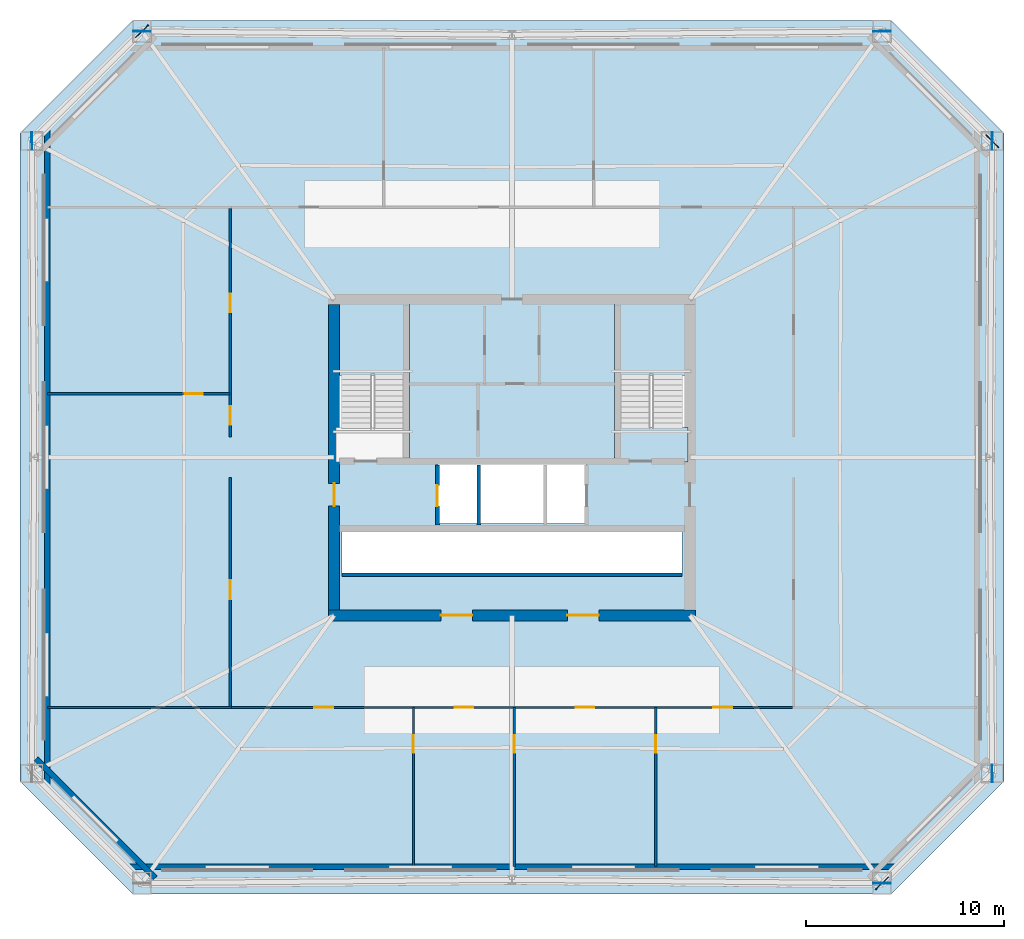
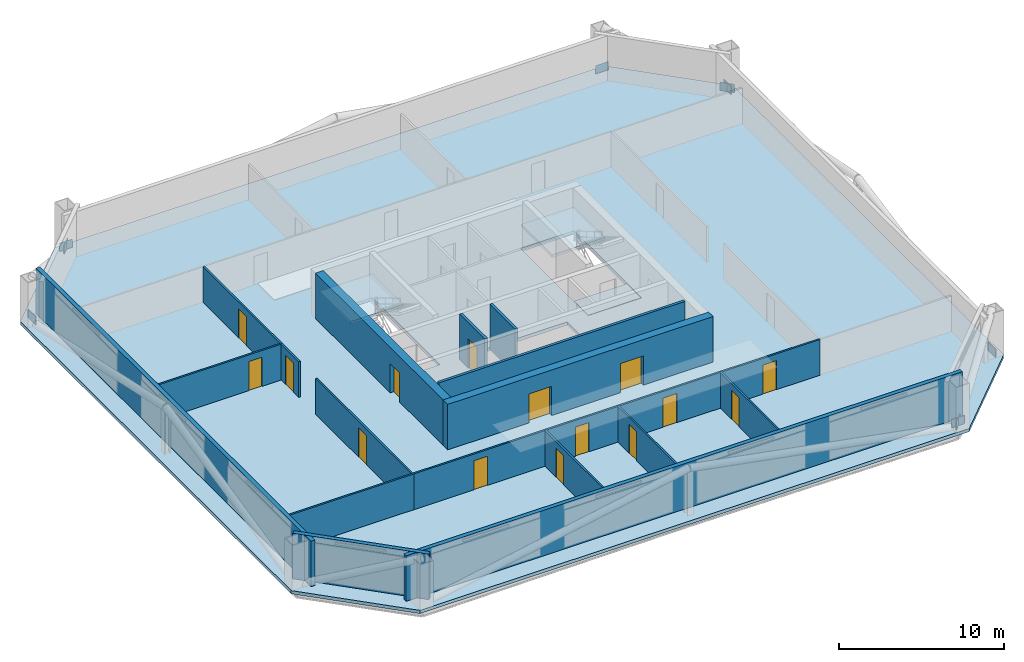
# One storey, part 2 of 6: 16 walls, 15 doors, 9 plates, 4 slabs, 15 openings, 2 elements without a shape of their own.
"""IFC4 building model written with IfcOpenShell, lengths in metres."""

from ifc_helpers import new_model, si_unit, direction, frame, frame_2d, origin, origin_2d, place, context, subcontext, project, spatial, polyline, rectangle, outline, extrude, material, layer, layer_set, type_object, element, fill, aggregate, save


model = new_model("IFC4")

# Units and contexts
model_context = context("Model", 3, precision=1e-05, world=origin(), true_north=direction((0.0, 1.0)))
body_context = subcontext(model_context, "Body", "Model", "MODEL_VIEW")
ifc_project = project(units=[si_unit("LENGTHUNIT", "METRE"), si_unit("AREAUNIT", "SQUARE_METRE"), si_unit("VOLUMEUNIT", "CUBIC_METRE"), si_unit("PLANEANGLEUNIT", "RADIAN"), si_unit("MASSUNIT", "GRAM", prefix="KILO")], contexts=[model_context])

# Site, building, storey
site_placement = place(None, origin())
site = spatial("IfcSite", under=ifc_project, at=site_placement, CompositionType="ELEMENT")
building_placement = place(site_placement, origin())
building = spatial("IfcBuilding", under=site, at=building_placement, Name="Caelvoria Tower", CompositionType="ELEMENT")
storey_placement = place(building_placement, frame((0.0, 0.0, 95.199951171875)))
storey = spatial("IfcBuildingStorey", under=building, at=storey_placement, Name="L24", CompositionType="ELEMENT", Elevation=95.199951171875)

# Plates
ifc_material_1 = material(Name="Structural Steel ASTM A572 Gr.50", Category="steel")
ifc_layer_1 = layer(ifc_material_1, 0.0400390625, Name="Structural Steel ASTM A572 Gr.50")
ifc_layer_set_1 = layer_set([ifc_layer_1], Name="Megaframe Node Gusset Plate 900x600x40 - Structural Steel ASTM A572 Gr.50")
plate_type = type_object("IfcPlateType", Name="Megaframe Node Gusset Plate 900x600x40", PredefinedType="USERDEFINED", material=ifc_layer_set_1)
for number, where, z_axis, x_axis, name in (
    (1, (64.727783203125, 10.443603515625, 0.02001953125), (0.0, 0.0, 1.0), (0.708275771936, 0.705935854656, 0.0), "Chamfer Mega Brace Gusset L24 SE"),
    (2, (70.298583984375, 48.00390625, 0.02001953125), (0.0, 0.0, 1.0), (-0.708275771936, 0.705935854656, 0.0), "Chamfer Mega Brace Gusset L24 NE"),
    (3, (27.272216796875, 53.556396484375, 0.02001953125), (0.0, 0.0, 1.0), (-0.708275771936, -0.705935854656, 0.0), "Chamfer Mega Brace Gusset L24 NW"),
    (4, (64.727783203125, 10.443603515625, 0.050048828125), (0.0, 0.0, 1.0), (-0.999955587109, 0.009424638433, 0.0), "Megaframe Node Gusset Plate ND-01"),
    (5, (70.298583984375, 15.99609375, 0.050048828125), (0.0, 0.0, 1.0), (-0.007415836018, 0.99997250231, 0.0), "Megaframe Node Gusset Plate ND-01"),
    (6, (70.298583984375, 48.00390625, 0.050048828125), (0.0, 0.0, 1.0), (-0.007415836018, -0.99997250231, 0.0), "Megaframe Node Gusset Plate ND-01"),
    (7, (64.727783203125, 53.556396484375, 0.050048828125), (0.0, 0.0, 1.0), (-0.999955587109, -0.009424638433, 0.0), "Megaframe Node Gusset Plate ND-01"),
    (8, (27.272216796875, 53.556396484375, 0.050048828125), (0.0, 0.0, 1.0), (0.999955587109, -0.009424638433, 0.0), "Megaframe Node Gusset Plate ND-01"),
    (9, (21.701416015625, 48.00390625, 0.050048828125), (0.0, 0.0, 1.0), (0.007415836018, -0.99997250231, 0.0), "Megaframe Node Gusset Plate ND-01"),
):
    element("IfcPlate", number, at=place(storey_placement, frame(where, z_axis=z_axis, x_axis=x_axis)), inside=storey, type_object=plate_type, Name=name, ObjectType="GUSSET_PLATE", PredefinedType="USERDEFINED", context=body_context, shape_type="SweptSolid", body=[
        extrude(rectangle(XDim=0.89990234375, YDim=0.0400390625, at=origin_2d()), origin(), (0.0, 0.0, 1.0), 0.60009765625),
    ])

# Stair, slab
ifc_material_2 = material(Name="Concrete C40/50", Category="concrete")
stair_type = type_object("IfcStairType", Name="Core Smokeproof Dogleg Stair Concrete C40/50", PredefinedType="HALF_TURN_STAIR", material=ifc_material_2)
stair_1_placement = place(storey_placement, origin())
stair_1 = element("IfcStair", 10, at=stair_1_placement, inside=storey, type_object=stair_type, Name="ST-01 Smokeproof Exit Stair L24", PredefinedType="HALF_TURN_STAIR")
ifc_layer_2 = layer(ifc_material_2, 0.199951171875, Name="Concrete C40/50")
ifc_layer_set_2 = layer_set([ifc_layer_2], Name="Stair Half and Floor Landing Slab 200 Concrete C40/50 - Concrete C40/50")
slab_type_1 = type_object("IfcSlabType", Name="Stair Half and Floor Landing Slab 200 Concrete C40/50", PredefinedType="LANDING", material=ifc_layer_set_2)
slab_1_placement = place(storey_placement, frame((0.0, 0.0, 1.60009765625)))
slab_1 = element("IfcSlab", 11, at=slab_1_placement, type_object=slab_type_1, Name="ST-01 landing 2", PredefinedType="LANDING", context=body_context, shape_type="SweptSolid", body=[
    extrude(outline(polyline([(37.10009765625, 36.14990234375), (40.800048828125, 36.14990234375), (40.800048828125, 39.89990234375), (37.10009765625, 39.89990234375), (37.10009765625, 36.14990234375)])), origin(), (0.0, 0.0, 1.0), 0.199951171875),
])
aggregate(stair_1, [slab_1])

# Stair, slabs
stair_2_placement = place(storey_placement, origin())
stair_2 = element("IfcStair", 12, at=stair_2_placement, inside=storey, type_object=stair_type, Name="ST-02 Smokeproof Exit Stair L24", PredefinedType="HALF_TURN_STAIR")
slab_2_placement = place(storey_placement, frame((0.0, 0.0, -0.199951171875)))
slab_2 = element("IfcSlab", 13, at=slab_2_placement, type_object=slab_type_1, Name="ST-02 landing 1", PredefinedType="LANDING", context=body_context, shape_type="SweptSolid", body=[
    extrude(outline(polyline([(51.199951171875, 31.77001953125), (54.89990234375, 31.77001953125), (54.89990234375, 33.5), (51.199951171875, 33.5), (51.199951171875, 31.77001953125)])), origin(), (0.0, 0.0, 1.0), 0.199951171875),
])
slab_3_placement = place(storey_placement, frame((0.0, 0.0, 1.60009765625)))
slab_3 = element("IfcSlab", 14, at=slab_3_placement, type_object=slab_type_1, Name="ST-02 landing 2", PredefinedType="LANDING", context=body_context, shape_type="SweptSolid", body=[
    extrude(outline(polyline([(51.199951171875, 36.14990234375), (54.89990234375, 36.14990234375), (54.89990234375, 39.89990234375), (51.199951171875, 39.89990234375), (51.199951171875, 36.14990234375)])), origin(), (0.0, 0.0, 1.0), 0.199951171875),
])
aggregate(stair_2, [slab_2, slab_3])

# Slab
ifc_layer_3 = layer(ifc_material_2, 0.239990234375, Name="Concrete C40/50")
ifc_layer_set_3 = layer_set([ifc_layer_3], Name="Tower Composite Office Slab 240 - Concrete C40/50")
slab_type_2 = type_object("IfcSlabType", Name="Tower Composite Office Slab 240", PredefinedType="FLOOR", material=ifc_layer_set_3)
slab_4_placement = place(storey_placement, frame((0.0, 0.0, -0.239990234375)))
element("IfcSlab", 15, at=slab_4_placement, inside=storey, type_object=slab_type_2, Name="Level L24 Structural Floor Slab", PredefinedType="FLOOR", context=body_context, shape_type="SweptSolid", body=[
    extrude(outline(polyline([(26.800048828125, 9.89990234375), (65.199951171875, 9.89990234375), (70.89990234375, 15.60009765625), (70.89990234375, 48.39990234375), (65.199951171875, 54.10009765625), (26.800048828125, 54.10009765625), (21.10009765625, 48.39990234375), (21.10009765625, 15.60009765625), (26.800048828125, 9.89990234375)]), holes=[polyline([(37.080078125, 31.75), (40.820068359375, 31.75), (40.820068359375, 39.919921875), (37.080078125, 39.919921875), (37.080078125, 31.75)]), polyline([(51.179931640625, 31.75), (54.919921875, 31.75), (54.919921875, 39.919921875), (51.179931640625, 39.919921875), (51.179931640625, 31.75)]), polyline([(42.25, 28.64990234375), (49.75, 28.64990234375), (49.75, 31.800048828125), (42.25, 31.800048828125), (42.25, 28.64990234375)]), polyline([(37.39990234375, 26.14990234375), (54.60009765625, 26.14990234375), (54.60009765625, 28.25), (37.39990234375, 28.25), (37.39990234375, 26.14990234375)])]), origin(), (0.0, 0.0, 1.0), 0.239990234375),
])

# Walls
ifc_material_3 = material(Name="Precast Concrete C40/50 with Bronze Cladding", Category="concrete")
ifc_layer_4 = layer(ifc_material_3, 0.280029296875, Name="Precast Concrete C40/50 with Bronze Cladding")
ifc_layer_set_4 = layer_set([ifc_layer_4], Name="Exterior Precast Concrete C40/50 Bronze-Clad Facade Wall 280 - Precast Concrete C40/50 with Bronze Cladding")
wall_type_1 = type_object("IfcWallType", Name="Exterior Precast Concrete C40/50 Bronze-Clad Facade Wall 280", PredefinedType="STANDARD", material=ifc_layer_set_4)
wall_1_placement = place(storey_placement, frame((26.56005859375, 11.280029296875, 0.0), z_axis=(0.0, 0.0, 1.0), x_axis=(1.0, 0.0, 0.0)))
element("IfcWall", 16, at=wall_1_placement, inside=storey, type_object=wall_type_1, Name="Exterior Facade Wall L24-E0", PredefinedType="STANDARD", context=body_context, shape_type="SweptSolid", body=[
    extrude(rectangle(XDim=38.8798828125, YDim=0.280029296875, at=frame_2d((19.43994140625, 0.0))), origin(), (0.0, 0.0, 1.0), 3.360107421875),
])
wall_2_placement = place(storey_placement, frame((22.47998046875, 48.639892578125, 0.0), z_axis=(0.0, 0.0, 1.0), x_axis=(0.0, -1.0, 0.0)))
element("IfcWall", 17, at=wall_2_placement, inside=storey, type_object=wall_type_1, Name="Exterior Facade Wall L24-E6", PredefinedType="STANDARD", context=body_context, shape_type="SweptSolid", body=[
    extrude(rectangle(XDim=33.27978515625, YDim=0.280029296875, at=frame_2d((16.639892578125, 0.0))), origin(), (0.0, 0.0, 1.0), 3.360107421875),
])
wall_3_placement = place(storey_placement, frame((21.906005859375, 16.74560546875, 0.0), z_axis=(0.0, 0.0, 1.0), x_axis=(0.707106781187, -0.707106781187, 0.0)))
element("IfcWall", 18, at=wall_3_placement, inside=storey, type_object=wall_type_1, Name="Exterior Facade Wall L24-E7", PredefinedType="STANDARD", context=body_context, shape_type="SweptSolid", body=[
    extrude(rectangle(XDim=8.541259765625, YDim=0.280029296875, at=frame_2d((4.2705078125, 0.0))), origin(), (0.0, 0.0, 1.0), 3.360107421875),
])
ifc_material_4 = material(Name="Concrete Block and Fireboard Assembly", Category="concrete")
ifc_layer_5 = layer(ifc_material_4, 0.179931640625, Name="Concrete Block and Fireboard Assembly")
ifc_layer_set_5 = layer_set([ifc_layer_5], Name="Fire-Rated Hoistway Partition Wall 180 - Concrete Block and Fireboard Assembly")
wall_type_2 = type_object("IfcWallType", Name="Fire-Rated Hoistway Partition Wall 180", PredefinedType="PARTITIONING", material=ifc_layer_set_5)
wall_4_placement = place(storey_placement, frame((44.320068359375, 28.580078125, 0.0), z_axis=(0.0, 0.0, 1.0), x_axis=(0.0, 1.0, 0.0)))
element("IfcWall", 19, at=wall_4_placement, inside=storey, type_object=wall_type_2, Name="Interior Partition IW-L24-SV1W", PredefinedType="PARTITIONING", context=body_context, shape_type="SweptSolid", body=[
    extrude(rectangle(XDim=3.0400390625, YDim=0.179931640625, at=frame_2d((1.52001953125, 0.0))), origin(), (0.0, 0.0, 1.0), 3.360107421875),
])
wall_5_placement = place(storey_placement, frame((37.39990234375, 26.050048828125, 0.0), z_axis=(0.0, 0.0, 1.0), x_axis=(1.0, 0.0, 0.0)))
element("IfcWall", 20, at=wall_5_placement, inside=storey, type_object=wall_type_2, Name="Interior Partition IW-L24-LFRONT", PredefinedType="PARTITIONING", context=body_context, shape_type="SweptSolid", body=[
    extrude(rectangle(XDim=17.2001953125, YDim=0.179931640625, at=frame_2d((8.60009765625, 0.0))), origin(), (0.0, 0.0, 1.0), 3.360107421875),
])

# Wall, opening, door
ifc_layer_6 = layer(ifc_material_4, 0.199951171875, Name="Concrete Block and Fireboard Assembly")
ifc_layer_set_6 = layer_set([ifc_layer_6], Name="Fire-Rated Shaft and Core Partition Wall 200 - Concrete Block and Fireboard Assembly")
wall_type_3 = type_object("IfcWallType", Name="Fire-Rated Shaft and Core Partition Wall 200", PredefinedType="PARTITIONING", material=ifc_layer_set_6)
wall_6_placement = place(storey_placement, frame((42.219970703125, 28.580078125, 0.0), z_axis=(0.0, 0.0, 1.0), x_axis=(0.0, 1.0, 0.0)))
wall_6 = element("IfcWall", 21, at=wall_6_placement, inside=storey, type_object=wall_type_3, Name="Interior Partition IW-L24-LF1W", PredefinedType="PARTITIONING", context=body_context, shape_type="SweptSolid", body=[
    extrude(rectangle(XDim=3.0400390625, YDim=0.199951171875, at=frame_2d((1.52001953125, 0.0))), origin(), (0.0, 0.0, 1.0), 3.360107421875),
])
opening_1_placement = place(wall_6_placement, frame((0.949951171875, 0.0, 0.0)))
opening_1 = element("IfcOpeningElement", 22, at=opening_1_placement, cuts=wall_6, Name="Opening LD-01", PredefinedType="OPENING", context=body_context, shape_type="SweptSolid", body=[
    extrude(rectangle(XDim=1.050048828125, YDim=2.14990234375, at=frame_2d((0.52490234375, 1.074951171875))), frame((0.0, 0.10986328125, 0.0), z_axis=(0.0, -1.0, 0.0), x_axis=(1.0, 0.0, 0.0)), (0.0, 0.0, 1.0), 0.219970703125),
])
ifc_material_5 = material(Name="Brushed Bronze Stainless Sliding Landing Door", Category="aluminium")
door_type_1 = type_object("IfcDoorType", Name="Lift Landing Sliding Door 1100x2150", OperationType="NOTDEFINED", PredefinedType="DOOR", material=ifc_material_5)
door_1_placement = place(opening_1_placement, origin())
door_1 = element("IfcDoor", 23, at=door_1_placement, inside=storey, type_object=door_type_1, Name="Interior Door LD-L24-LF1", OperationType="SLIDING_TO_LEFT", OverallHeight=2.14990234375, OverallWidth=1.050048828125, PredefinedType="DOOR", context=body_context, shape_type="SweptSolid", body=[
    extrude(rectangle(XDim=1.050048828125, YDim=2.14990234375, at=frame_2d((0.52490234375, 1.074951171875))), frame((0.0, 0.02490234375, 0.0), z_axis=(0.0, -1.0, 0.0), x_axis=(1.0, 0.0, 0.0)), (0.0, 0.0, 1.0), 0.050048828125),
])
fill(opening_1, door_1)

# Wall, openings, doors
ifc_material_6 = material(Name="Concrete C55/67", Category="concrete")
ifc_layer_7 = layer(ifc_material_6, 0.550048828125, Name="Concrete C55/67")
ifc_layer_set_7 = layer_set([ifc_layer_7], Name="Mid Core Shear Wall 550 - Concrete C55/67")
wall_type_4 = type_object("IfcWallType", Name="Mid Core Shear Wall 550", PredefinedType="SHEAR", material=ifc_layer_set_7)
wall_7_placement = place(storey_placement, frame((36.72509765625, 24.0, 0.0), z_axis=(0.0, 0.0, 1.0), x_axis=(1.0, 0.0, 0.0)))
wall_7 = element("IfcWall", 24, at=wall_7_placement, inside=storey, type_object=wall_type_4, Name="Core Shear Wall L24 S", PredefinedType="SHEAR", context=body_context, shape_type="SweptSolid", body=[
    extrude(rectangle(XDim=18.5498046875, YDim=0.550048828125, at=frame_2d((9.27490234375, 0.0))), origin(), (0.0, 0.0, 1.0), 3.360107421875),
])
opening_2_placement = place(wall_7_placement, frame((5.675048828125, 0.0, 0.0)))
opening_2 = element("IfcOpeningElement", 25, at=opening_2_placement, cuts=wall_7, Name="Opening ID-08", PredefinedType="OPENING", context=body_context, shape_type="SweptSolid", body=[
    extrude(rectangle(XDim=1.60009765625, YDim=2.14990234375, at=frame_2d((0.800048828125, 1.074951171875))), frame((0.0, 0.284912109375, 0.0), z_axis=(0.0, -1.0, 0.0), x_axis=(1.0, 0.0, 0.0)), (0.0, 0.0, 1.0), 0.570068359375),
])
opening_3_placement = place(wall_7_placement, frame((12.074951171875, 0.0, 0.0)))
opening_3 = element("IfcOpeningElement", 26, at=opening_3_placement, cuts=wall_7, Name="Opening ID-08", PredefinedType="OPENING", context=body_context, shape_type="SweptSolid", body=[
    extrude(rectangle(XDim=1.60009765625, YDim=2.14990234375, at=frame_2d((0.800048828125, 1.074951171875))), frame((0.0, 0.284912109375, 0.0), z_axis=(0.0, -1.0, 0.0), x_axis=(1.0, 0.0, 0.0)), (0.0, 0.0, 1.0), 0.570068359375),
])
ifc_material_7 = material(Name="Bronze-Framed Fire-Rated Glazed Double Door", Category="aluminium")
door_type_2 = type_object("IfcDoorType", Name="Double Lobby Glazed Door 1600x2200", OperationType="NOTDEFINED", PredefinedType="DOOR", material=ifc_material_7)
door_2_placement = place(opening_2_placement, origin())
door_2 = element("IfcDoor", 27, at=door_2_placement, inside=storey, type_object=door_type_2, Name="Core Door DR-L24-LLOB-S1", OperationType="DOUBLE_DOOR_SINGLE_SWING", OverallHeight=2.14990234375, OverallWidth=1.60009765625, PredefinedType="DOOR", context=body_context, shape_type="SweptSolid", body=[
    extrude(rectangle(XDim=1.60009765625, YDim=2.14990234375, at=frame_2d((0.800048828125, 1.074951171875))), frame((0.0, 0.02490234375, 0.0), z_axis=(0.0, -1.0, 0.0), x_axis=(1.0, 0.0, 0.0)), (0.0, 0.0, 1.0), 0.050048828125),
])
fill(opening_2, door_2)
door_3_placement = place(opening_3_placement, origin())
door_3 = element("IfcDoor", 28, at=door_3_placement, inside=storey, type_object=door_type_2, Name="Core Door DR-L24-LLOB-S2", OperationType="DOUBLE_DOOR_SINGLE_SWING", OverallHeight=2.14990234375, OverallWidth=1.60009765625, PredefinedType="DOOR", context=body_context, shape_type="SweptSolid", body=[
    extrude(rectangle(XDim=1.60009765625, YDim=2.14990234375, at=frame_2d((0.800048828125, 1.074951171875))), frame((0.0, 0.02490234375, 0.0), z_axis=(0.0, -1.0, 0.0), x_axis=(1.0, 0.0, 0.0)), (0.0, 0.0, 1.0), 0.050048828125),
])
fill(opening_3, door_3)

# Wall, opening, door
wall_8_placement = place(storey_placement, frame((37.0, 24.27490234375, 0.0), z_axis=(0.0, 0.0, 1.0), x_axis=(0.0, 1.0, 0.0)))
wall_8 = element("IfcWall", 29, at=wall_8_placement, inside=storey, type_object=wall_type_4, Name="Core Shear Wall L24 W", PredefinedType="SHEAR", context=body_context, shape_type="SweptSolid", body=[
    extrude(rectangle(XDim=15.4501953125, YDim=0.550048828125, at=frame_2d((7.72509765625, 0.0))), origin(), (0.0, 0.0, 1.0), 3.360107421875),
])
opening_4_placement = place(wall_8_placement, frame((5.25, 0.0, 0.0)))
opening_4 = element("IfcOpeningElement", 30, at=opening_4_placement, cuts=wall_8, Name="Opening ID-02", PredefinedType="OPENING", context=body_context, shape_type="SweptSolid", body=[
    extrude(rectangle(XDim=1.14990234375, YDim=2.14990234375, at=frame_2d((0.574951171875, 1.074951171875))), frame((0.0, 0.284912109375, 0.0), z_axis=(0.0, -1.0, 0.0), x_axis=(1.0, 0.0, 0.0)), (0.0, 0.0, 1.0), 0.570068359375),
])
ifc_material_8 = material(Name="Painted Hollow Steel Fire Door", Category="steel")
door_type_3 = type_object("IfcDoorType", Name="Fire Door FD60S 1150x2150", OperationType="NOTDEFINED", PredefinedType="DOOR", material=ifc_material_8)
door_4_placement = place(opening_4_placement, origin())
door_4 = element("IfcDoor", 31, at=door_4_placement, inside=storey, type_object=door_type_3, Name="Core Door DR-L24-FFLW-OUT", OperationType="SINGLE_SWING_LEFT", OverallHeight=2.14990234375, OverallWidth=1.14990234375, PredefinedType="DOOR", context=body_context, shape_type="SweptSolid", body=[
    extrude(rectangle(XDim=1.14990234375, YDim=2.14990234375, at=frame_2d((0.574951171875, 1.074951171875))), frame((0.0, 0.02490234375, 0.0), z_axis=(0.0, -1.0, 0.0), x_axis=(1.0, 0.0, 0.0)), (0.0, 0.0, 1.0), 0.050048828125),
])
fill(opening_4, door_4)

ifc_material_9 = material(Name="Acoustic Gypsum Board on Light-Gauge Stud", Category="gypsum")
ifc_layer_8 = layer(ifc_material_9, 0.1201171875, Name="Acoustic Gypsum Board on Light-Gauge Stud")
ifc_layer_set_8 = layer_set([ifc_layer_8], Name="Tenant Suite Acoustic Partition Wall 120 - Acoustic Gypsum Board on Light-Gauge Stud")
wall_type_5 = type_object("IfcWallType", Name="Tenant Suite Acoustic Partition Wall 120", PredefinedType="PARTITIONING", material=ifc_layer_set_8)
wall_9_placement = place(storey_placement, frame((41.01220703125, 19.340087890625, 0.0), z_axis=(0.0, 0.0, 1.0), x_axis=(0.0, -1.0, 0.0)))
wall_9 = element("IfcWall", 32, at=wall_9_placement, inside=storey, type_object=wall_type_5, Name="Interior Partition IW-L24-SD-00-0", PredefinedType="PARTITIONING", context=body_context, shape_type="SweptSolid", body=[
    extrude(rectangle(XDim=8.06005859375, YDim=0.1201171875, at=frame_2d((4.030029296875, 0.0))), origin(), (0.0, 0.0, 1.0), 2.64013671875),
])
opening_5_placement = place(wall_9_placement, frame((1.39990234375, 0.0, 0.0)))
opening_5 = element("IfcOpeningElement", 33, at=opening_5_placement, cuts=wall_9, Name="Opening ID-06", PredefinedType="OPENING", context=body_context, shape_type="SweptSolid", body=[
    extrude(rectangle(XDim=0.89990234375, YDim=2.14990234375, at=frame_2d((0.449951171875, 1.074951171875))), frame((0.0, 0.070068359375, 0.0), z_axis=(0.0, -1.0, 0.0), x_axis=(1.0, 0.0, 0.0)), (0.0, 0.0, 1.0), 0.14013671875),
])
ifc_material_10 = material(Name="Engineered Andean Oak Veneer Door", Category="wood")
door_type_4 = type_object("IfcDoorType", Name="Interior Timber Door 900x2150", OperationType="NOTDEFINED", PredefinedType="DOOR", material=ifc_material_10)
door_5_placement = place(opening_5_placement, origin())
door_5 = element("IfcDoor", 34, at=door_5_placement, inside=storey, type_object=door_type_4, Name="Interior Door DR-L24-SM-00-0", OperationType="SINGLE_SWING_RIGHT", OverallHeight=2.14990234375, OverallWidth=0.89990234375, PredefinedType="DOOR", context=body_context, shape_type="SweptSolid", body=[
    extrude(rectangle(XDim=0.89990234375, YDim=2.14990234375, at=frame_2d((0.449951171875, 1.074951171875))), frame((0.0, 0.02490234375, 0.0), z_axis=(0.0, -1.0, 0.0), x_axis=(1.0, 0.0, 0.0)), (0.0, 0.0, 1.0), 0.050048828125),
])
fill(opening_5, door_5)

wall_10_placement = place(storey_placement, frame((46.117919921875, 19.340087890625, 0.0), z_axis=(0.0, 0.0, 1.0), x_axis=(0.0, -1.0, 0.0)))
wall_10 = element("IfcWall", 35, at=wall_10_placement, inside=storey, type_object=wall_type_5, Name="Interior Partition IW-L24-SD-01-0", PredefinedType="PARTITIONING", context=body_context, shape_type="SweptSolid", body=[
    extrude(rectangle(XDim=8.06005859375, YDim=0.1201171875, at=frame_2d((4.030029296875, 0.0))), origin(), (0.0, 0.0, 1.0), 2.64013671875),
])
opening_6_placement = place(wall_10_placement, frame((1.39990234375, 0.0, 0.0)))
opening_6 = element("IfcOpeningElement", 36, at=opening_6_placement, cuts=wall_10, Name="Opening ID-06", PredefinedType="OPENING", context=body_context, shape_type="SweptSolid", body=[
    extrude(rectangle(XDim=0.89990234375, YDim=2.14990234375, at=frame_2d((0.449951171875, 1.074951171875))), frame((0.0, 0.070068359375, 0.0), z_axis=(0.0, -1.0, 0.0), x_axis=(1.0, 0.0, 0.0)), (0.0, 0.0, 1.0), 0.14013671875),
])
door_6_placement = place(opening_6_placement, origin())
door_6 = element("IfcDoor", 37, at=door_6_placement, inside=storey, type_object=door_type_4, Name="Interior Door DR-L24-SM-01-0", OperationType="SINGLE_SWING_LEFT", OverallHeight=2.14990234375, OverallWidth=0.89990234375, PredefinedType="DOOR", context=body_context, shape_type="SweptSolid", body=[
    extrude(rectangle(XDim=0.89990234375, YDim=2.14990234375, at=frame_2d((0.449951171875, 1.074951171875))), frame((0.0, 0.02490234375, 0.0), z_axis=(0.0, -1.0, 0.0), x_axis=(1.0, 0.0, 0.0)), (0.0, 0.0, 1.0), 0.050048828125),
])
fill(opening_6, door_6)

wall_11_placement = place(storey_placement, frame((53.27734375, 19.340087890625, 0.0), z_axis=(0.0, 0.0, 1.0), x_axis=(0.0, -1.0, 0.0)))
wall_11 = element("IfcWall", 38, at=wall_11_placement, inside=storey, type_object=wall_type_5, Name="Interior Partition IW-L24-SD-02-0", PredefinedType="PARTITIONING", context=body_context, shape_type="SweptSolid", body=[
    extrude(rectangle(XDim=8.06005859375, YDim=0.1201171875, at=frame_2d((4.030029296875, 0.0))), origin(), (0.0, 0.0, 1.0), 2.64013671875),
])
opening_7_placement = place(wall_11_placement, frame((1.39990234375, 0.0, 0.0)))
opening_7 = element("IfcOpeningElement", 39, at=opening_7_placement, cuts=wall_11, Name="Opening ID-06", PredefinedType="OPENING", context=body_context, shape_type="SweptSolid", body=[
    extrude(rectangle(XDim=0.89990234375, YDim=2.14990234375, at=frame_2d((0.449951171875, 1.074951171875))), frame((0.0, 0.070068359375, 0.0), z_axis=(0.0, -1.0, 0.0), x_axis=(1.0, 0.0, 0.0)), (0.0, 0.0, 1.0), 0.14013671875),
])
door_7_placement = place(opening_7_placement, origin())
door_7 = element("IfcDoor", 40, at=door_7_placement, inside=storey, type_object=door_type_4, Name="Interior Door DR-L24-SM-02-0", OperationType="SINGLE_SWING_RIGHT", OverallHeight=2.14990234375, OverallWidth=0.89990234375, PredefinedType="DOOR", context=body_context, shape_type="SweptSolid", body=[
    extrude(rectangle(XDim=0.89990234375, YDim=2.14990234375, at=frame_2d((0.449951171875, 1.074951171875))), frame((0.0, 0.02490234375, 0.0), z_axis=(0.0, -1.0, 0.0), x_axis=(1.0, 0.0, 0.0)), (0.0, 0.0, 1.0), 0.050048828125),
])
fill(opening_7, door_7)

# Wall, openings, doors
wall_12_placement = place(storey_placement, frame((31.800048828125, 19.340087890625, 0.0), z_axis=(0.0, 0.0, 1.0), x_axis=(1.0, 0.0, 0.0)))
wall_12 = element("IfcWall", 41, at=wall_12_placement, inside=storey, type_object=wall_type_5, Name="Interior Partition IW-L24-SCW-0", PredefinedType="PARTITIONING", context=body_context, shape_type="SweptSolid", body=[
    extrude(rectangle(XDim=28.39990234375, YDim=0.1201171875, at=frame_2d((14.199951171875, 0.0))), origin(), (0.0, 0.0, 1.0), 2.64013671875),
])
opening_8_placement = place(wall_12_placement, frame((4.201171875, 0.0, 0.0)))
opening_8 = element("IfcOpeningElement", 42, at=opening_8_placement, cuts=wall_12, Name="Opening ID-05", PredefinedType="OPENING", context=body_context, shape_type="SweptSolid", body=[
    extrude(rectangle(XDim=0.949951171875, YDim=2.14990234375, at=frame_2d((0.47509765625, 1.074951171875))), frame((0.0, 0.070068359375, 0.0), z_axis=(0.0, -1.0, 0.0), x_axis=(1.0, 0.0, 0.0)), (0.0, 0.0, 1.0), 0.14013671875),
])
opening_9_placement = place(wall_12_placement, frame((11.289794921875, 0.0, 0.0)))
opening_9 = element("IfcOpeningElement", 43, at=opening_9_placement, cuts=wall_12, Name="Opening ID-05", PredefinedType="OPENING", context=body_context, shape_type="SweptSolid", body=[
    extrude(rectangle(XDim=0.949951171875, YDim=2.14990234375, at=frame_2d((0.47509765625, 1.074951171875))), frame((0.0, 0.070068359375, 0.0), z_axis=(0.0, -1.0, 0.0), x_axis=(1.0, 0.0, 0.0)), (0.0, 0.0, 1.0), 0.14013671875),
])
opening_10_placement = place(wall_12_placement, frame((17.422607421875, 0.0, 0.0)))
opening_10 = element("IfcOpeningElement", 44, at=opening_10_placement, cuts=wall_12, Name="Opening ID-05", PredefinedType="OPENING", context=body_context, shape_type="SweptSolid", body=[
    extrude(rectangle(XDim=0.949951171875, YDim=2.14990234375, at=frame_2d((0.47509765625, 1.074951171875))), frame((0.0, 0.070068359375, 0.0), z_axis=(0.0, -1.0, 0.0), x_axis=(1.0, 0.0, 0.0)), (0.0, 0.0, 1.0), 0.14013671875),
])
opening_11_placement = place(wall_12_placement, frame((24.393798828125, 0.0, 0.0)))
opening_11 = element("IfcOpeningElement", 45, at=opening_11_placement, cuts=wall_12, Name="Opening ID-05", PredefinedType="OPENING", context=body_context, shape_type="SweptSolid", body=[
    extrude(rectangle(XDim=0.949951171875, YDim=2.14990234375, at=frame_2d((0.47509765625, 1.074951171875))), frame((0.0, 0.070068359375, 0.0), z_axis=(0.0, -1.0, 0.0), x_axis=(1.0, 0.0, 0.0)), (0.0, 0.0, 1.0), 0.14013671875),
])
door_type_5 = type_object("IfcDoorType", Name="Interior Timber Door 950x2150", OperationType="NOTDEFINED", PredefinedType="DOOR", material=ifc_material_10)
door_8_placement = place(opening_8_placement, origin())
door_8 = element("IfcDoor", 46, at=door_8_placement, inside=storey, type_object=door_type_5, Name="Interior Door DR-L24-SC-00-0", OperationType="SINGLE_SWING_LEFT", OverallHeight=2.14990234375, OverallWidth=0.949951171875, PredefinedType="DOOR", context=body_context, shape_type="SweptSolid", body=[
    extrude(rectangle(XDim=0.949951171875, YDim=2.14990234375, at=frame_2d((0.47509765625, 1.074951171875))), frame((0.0, 0.02490234375, 0.0), z_axis=(0.0, -1.0, 0.0), x_axis=(1.0, 0.0, 0.0)), (0.0, 0.0, 1.0), 0.050048828125),
])
fill(opening_8, door_8)
door_9_placement = place(opening_9_placement, origin())
door_9 = element("IfcDoor", 47, at=door_9_placement, inside=storey, type_object=door_type_5, Name="Interior Door DR-L24-SC-01-0", OperationType="SINGLE_SWING_RIGHT", OverallHeight=2.14990234375, OverallWidth=0.949951171875, PredefinedType="DOOR", context=body_context, shape_type="SweptSolid", body=[
    extrude(rectangle(XDim=0.949951171875, YDim=2.14990234375, at=frame_2d((0.47509765625, 1.074951171875))), frame((0.0, 0.02490234375, 0.0), z_axis=(0.0, -1.0, 0.0), x_axis=(1.0, 0.0, 0.0)), (0.0, 0.0, 1.0), 0.050048828125),
])
fill(opening_9, door_9)
door_10_placement = place(opening_10_placement, origin())
door_10 = element("IfcDoor", 48, at=door_10_placement, inside=storey, type_object=door_type_5, Name="Interior Door DR-L24-SC-02-0", OperationType="SINGLE_SWING_LEFT", OverallHeight=2.14990234375, OverallWidth=0.949951171875, PredefinedType="DOOR", context=body_context, shape_type="SweptSolid", body=[
    extrude(rectangle(XDim=0.949951171875, YDim=2.14990234375, at=frame_2d((0.47509765625, 1.074951171875))), frame((0.0, 0.02490234375, 0.0), z_axis=(0.0, -1.0, 0.0), x_axis=(1.0, 0.0, 0.0)), (0.0, 0.0, 1.0), 0.050048828125),
])
fill(opening_10, door_10)
door_11_placement = place(opening_11_placement, origin())
door_11 = element("IfcDoor", 49, at=door_11_placement, inside=storey, type_object=door_type_5, Name="Interior Door DR-L24-SC-03-0", OperationType="SINGLE_SWING_RIGHT", OverallHeight=2.14990234375, OverallWidth=0.949951171875, PredefinedType="DOOR", context=body_context, shape_type="SweptSolid", body=[
    extrude(rectangle(XDim=0.949951171875, YDim=2.14990234375, at=frame_2d((0.47509765625, 1.074951171875))), frame((0.0, 0.02490234375, 0.0), z_axis=(0.0, -1.0, 0.0), x_axis=(1.0, 0.0, 0.0)), (0.0, 0.0, 1.0), 0.050048828125),
])
fill(opening_11, door_11)

# Wall, opening, door
wall_13_placement = place(storey_placement, frame((31.739990234375, 35.212646484375, 0.0), z_axis=(0.0, 0.0, 1.0), x_axis=(-1.0, 0.0, 0.0)))
wall_13 = element("IfcWall", 50, at=wall_13_placement, inside=storey, type_object=wall_type_5, Name="Interior Partition IW-L24-WD-00-0", PredefinedType="PARTITIONING", context=body_context, shape_type="SweptSolid", body=[
    extrude(rectangle(XDim=9.260009765625, YDim=0.1201171875, at=frame_2d((4.6298828125, 0.0))), origin(), (0.0, 0.0, 1.0), 2.64013671875),
])
opening_12_placement = place(wall_13_placement, frame((1.39990234375, 0.0, 0.0)))
opening_12 = element("IfcOpeningElement", 51, at=opening_12_placement, cuts=wall_13, Name="Opening ID-06", PredefinedType="OPENING", context=body_context, shape_type="SweptSolid", body=[
    extrude(rectangle(XDim=0.89990234375, YDim=2.14990234375, at=frame_2d((0.449951171875, 1.074951171875))), frame((0.0, 0.070068359375, 0.0), z_axis=(0.0, -1.0, 0.0), x_axis=(1.0, 0.0, 0.0)), (0.0, 0.0, 1.0), 0.14013671875),
])
door_12_placement = place(opening_12_placement, origin())
door_12 = element("IfcDoor", 52, at=door_12_placement, inside=storey, type_object=door_type_4, Name="Interior Door DR-L24-WM-00-0", OperationType="SINGLE_SWING_RIGHT", OverallHeight=2.14990234375, OverallWidth=0.89990234375, PredefinedType="DOOR", context=body_context, shape_type="SweptSolid", body=[
    extrude(rectangle(XDim=0.89990234375, YDim=2.14990234375, at=frame_2d((0.449951171875, 1.074951171875))), frame((0.0, 0.02490234375, 0.0), z_axis=(0.0, -1.0, 0.0), x_axis=(1.0, 0.0, 0.0)), (0.0, 0.0, 1.0), 0.050048828125),
])
fill(opening_12, door_12)

wall_14_placement = place(storey_placement, frame((31.739990234375, 19.39990234375, 0.0), z_axis=(0.0, 0.0, 1.0), x_axis=(0.0, 1.0, 0.0)))
wall_14 = element("IfcWall", 53, at=wall_14_placement, inside=storey, type_object=wall_type_5, Name="Interior Partition IW-L24-WCW-0", PredefinedType="PARTITIONING", context=body_context, shape_type="SweptSolid", body=[
    extrude(rectangle(XDim=11.580078125, YDim=0.1201171875, at=frame_2d((5.7900390625, 0.0))), origin(), (0.0, 0.0, 1.0), 2.64013671875),
])
opening_13_placement = place(wall_14_placement, frame((5.4150390625, 0.0, 0.0)))
opening_13 = element("IfcOpeningElement", 54, at=opening_13_placement, cuts=wall_14, Name="Opening ID-05", PredefinedType="OPENING", context=body_context, shape_type="SweptSolid", body=[
    extrude(rectangle(XDim=0.949951171875, YDim=2.14990234375, at=frame_2d((0.47509765625, 1.074951171875))), frame((0.0, 0.070068359375, 0.0), z_axis=(0.0, -1.0, 0.0), x_axis=(1.0, 0.0, 0.0)), (0.0, 0.0, 1.0), 0.14013671875),
])
door_13_placement = place(opening_13_placement, origin())
door_13 = element("IfcDoor", 55, at=door_13_placement, inside=storey, type_object=door_type_5, Name="Interior Door DR-L24-WC-00-1", OperationType="SINGLE_SWING_RIGHT", OverallHeight=2.14990234375, OverallWidth=0.949951171875, PredefinedType="DOOR", context=body_context, shape_type="SweptSolid", body=[
    extrude(rectangle(XDim=0.949951171875, YDim=2.14990234375, at=frame_2d((0.47509765625, 1.074951171875))), frame((0.0, 0.02490234375, 0.0), z_axis=(0.0, -1.0, 0.0), x_axis=(1.0, 0.0, 0.0)), (0.0, 0.0, 1.0), 0.050048828125),
])
fill(opening_13, door_13)

# Wall, openings, doors
wall_15_placement = place(storey_placement, frame((31.739990234375, 33.02001953125, 0.0), z_axis=(0.0, 0.0, 1.0), x_axis=(0.0, 1.0, 0.0)))
wall_15 = element("IfcWall", 56, at=wall_15_placement, inside=storey, type_object=wall_type_5, Name="Interior Partition IW-L24-WCW-1", PredefinedType="PARTITIONING", context=body_context, shape_type="SweptSolid", body=[
    extrude(rectangle(XDim=11.580078125, YDim=0.1201171875, at=frame_2d((5.7900390625, 0.0))), origin(), (0.0, 0.0, 1.0), 2.64013671875),
])
opening_14_placement = place(wall_15_placement, frame((0.621337890625, 0.0, 0.0)))
opening_14 = element("IfcOpeningElement", 57, at=opening_14_placement, cuts=wall_15, Name="Opening ID-05", PredefinedType="OPENING", context=body_context, shape_type="SweptSolid", body=[
    extrude(rectangle(XDim=0.949951171875, YDim=2.14990234375, at=frame_2d((0.47509765625, 1.074951171875))), frame((0.0, 0.070068359375, 0.0), z_axis=(0.0, -1.0, 0.0), x_axis=(1.0, 0.0, 0.0)), (0.0, 0.0, 1.0), 0.14013671875),
])
opening_15_placement = place(wall_15_placement, frame((6.311279296875, 0.0, 0.0)))
opening_15 = element("IfcOpeningElement", 58, at=opening_15_placement, cuts=wall_15, Name="Opening ID-05", PredefinedType="OPENING", context=body_context, shape_type="SweptSolid", body=[
    extrude(rectangle(XDim=0.949951171875, YDim=2.14990234375, at=frame_2d((0.47509765625, 1.074951171875))), frame((0.0, 0.070068359375, 0.0), z_axis=(0.0, -1.0, 0.0), x_axis=(1.0, 0.0, 0.0)), (0.0, 0.0, 1.0), 0.14013671875),
])
door_14_placement = place(opening_14_placement, origin())
door_14 = element("IfcDoor", 59, at=door_14_placement, inside=storey, type_object=door_type_5, Name="Interior Door DR-L24-WC-00-0", OperationType="SINGLE_SWING_LEFT", OverallHeight=2.14990234375, OverallWidth=0.949951171875, PredefinedType="DOOR", context=body_context, shape_type="SweptSolid", body=[
    extrude(rectangle(XDim=0.949951171875, YDim=2.14990234375, at=frame_2d((0.47509765625, 1.074951171875))), frame((0.0, 0.02490234375, 0.0), z_axis=(0.0, -1.0, 0.0), x_axis=(1.0, 0.0, 0.0)), (0.0, 0.0, 1.0), 0.050048828125),
])
fill(opening_14, door_14)
door_15_placement = place(opening_15_placement, origin())
door_15 = element("IfcDoor", 60, at=door_15_placement, inside=storey, type_object=door_type_5, Name="Interior Door DR-L24-WC-01-0", OperationType="SINGLE_SWING_RIGHT", OverallHeight=2.14990234375, OverallWidth=0.949951171875, PredefinedType="DOOR", context=body_context, shape_type="SweptSolid", body=[
    extrude(rectangle(XDim=0.949951171875, YDim=2.14990234375, at=frame_2d((0.47509765625, 1.074951171875))), frame((0.0, 0.02490234375, 0.0), z_axis=(0.0, -1.0, 0.0), x_axis=(1.0, 0.0, 0.0)), (0.0, 0.0, 1.0), 0.050048828125),
])
fill(opening_15, door_15)

# Wall
wall_16_placement = place(storey_placement, frame((31.800048828125, 19.340087890625, 0.0), z_axis=(0.0, 0.0, 1.0), x_axis=(-1.0, 0.0, 0.0)))
element("IfcWall", 61, at=wall_16_placement, inside=storey, type_object=wall_type_5, Name="Interior Partition IW-L24-BSW-0", PredefinedType="PARTITIONING", context=body_context, shape_type="SweptSolid", body=[
    extrude(rectangle(XDim=9.320068359375, YDim=0.1201171875, at=frame_2d((4.66015625, 0.0))), origin(), (0.0, 0.0, 1.0), 2.64013671875),
])

save(model, "model.ifc")
